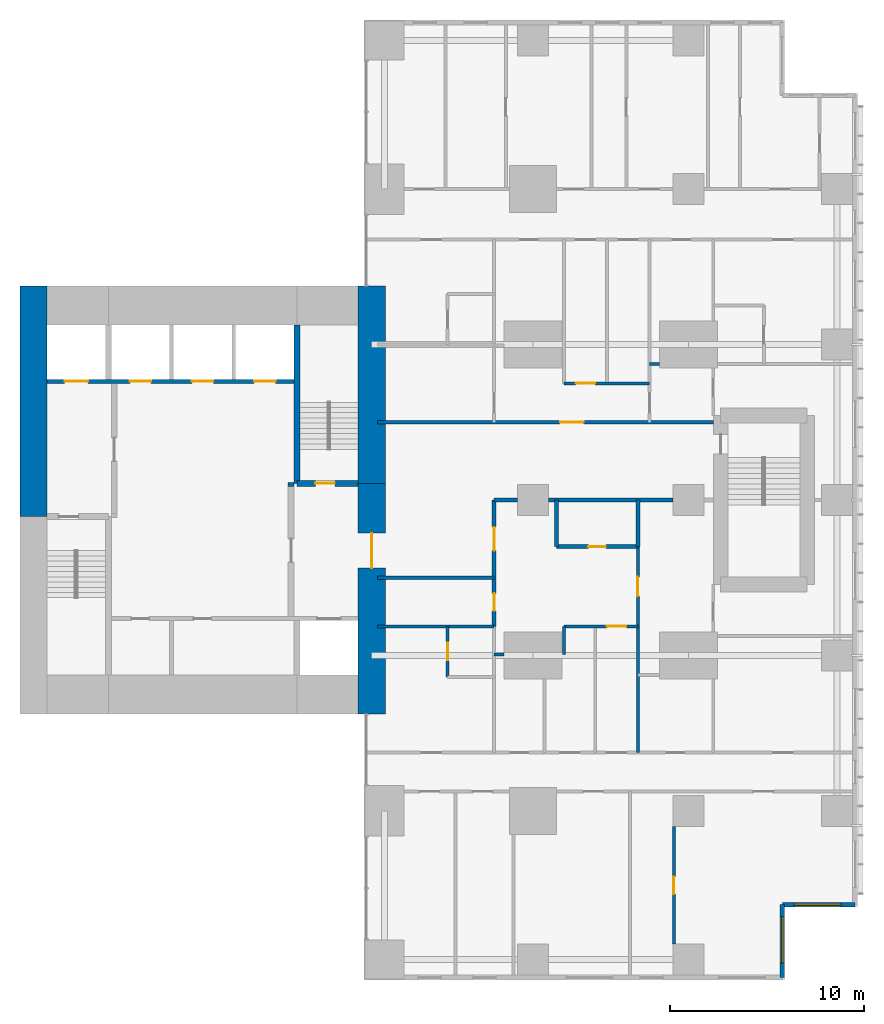
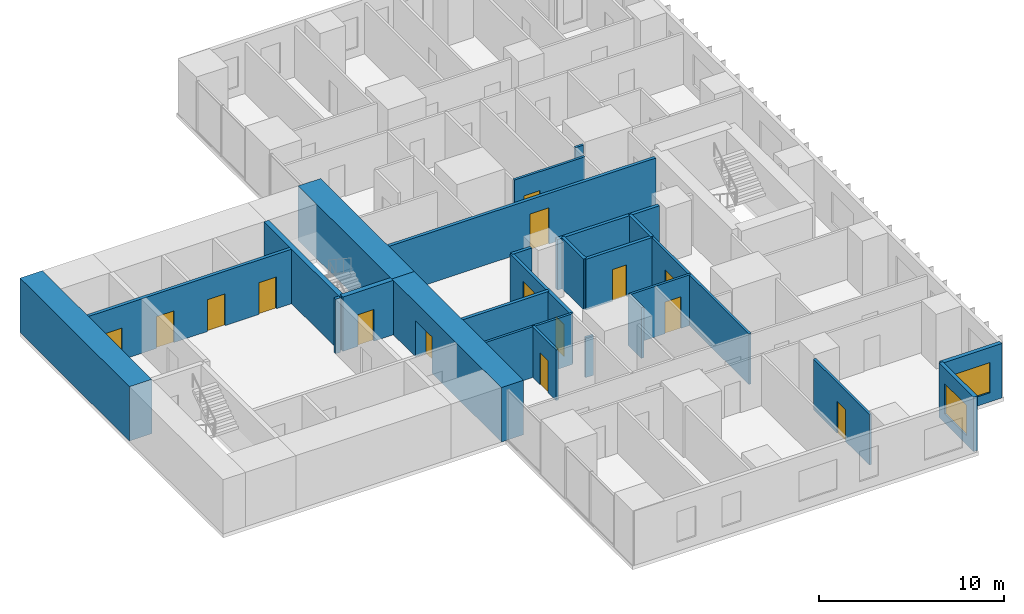
# One storey, part 8 of 12: 26 walls, 15 doors, 2 windows, 17 openings.
"""IFC4 building model written with IfcOpenShell, lengths in metres."""

from ifc_helpers import new_model, si_unit, direction, frame, frame_2d, origin, place, context, subcontext, project, spatial, rectangle, extrude, material, layer, layer_set, type_object, element, fill, save


model = new_model("IFC4")

# Units and contexts
model_context = context("Model", 3, precision=1e-05, world=origin(), true_north=direction((0.0, 1.0)))
body_context = subcontext(model_context, "Body", "Model", "MODEL_VIEW")
ifc_project = project(units=[si_unit("LENGTHUNIT", "METRE"), si_unit("AREAUNIT", "SQUARE_METRE"), si_unit("VOLUMEUNIT", "CUBIC_METRE"), si_unit("PLANEANGLEUNIT", "RADIAN"), si_unit("MASSUNIT", "GRAM", prefix="KILO")], contexts=[model_context])

# Site, building, storey
site_placement = place(None, origin())
site = spatial("IfcSite", under=ifc_project, at=site_placement, CompositionType="ELEMENT")
building_placement = place(site_placement, origin())
building = spatial("IfcBuilding", under=site, at=building_placement, Name="Cleftline Residences", CompositionType="ELEMENT")
storey_placement = place(building_placement, frame((0.0, 0.0, 237.60009765625)))
storey = spatial("IfcBuildingStorey", under=building, at=storey_placement, Name="L62", CompositionType="ELEMENT", Elevation=237.60009765625)

# Wall
ifc_material_1 = material(Name="Concrete B70", Category="concrete")
ifc_layer_1 = layer(ifc_material_1, 1.39990234375)
ifc_layer_set_1 = layer_set([ifc_layer_1], Name="CORE WALL 1400")
wall_type_1 = type_object("IfcWallType", Name="CORE WALL 1400", PredefinedType="SHEAR", material=ifc_layer_set_1)
wall_1_placement = place(storey_placement, frame((24.300048828125, 23.14990234375, 0.0), z_axis=(0.0, 0.0, 1.0), x_axis=(0.0, 1.0, 0.0)))
element("IfcWall", 1, at=wall_1_placement, inside=storey, type_object=wall_type_1, Name="Core wall W", PredefinedType="SHEAR", context=body_context, shape_type="SweptSolid", body=[
    extrude(rectangle(XDim=11.85009765625, YDim=1.39990234375, at=frame_2d((5.925048828125, 0.0))), origin(), (0.0, 0.0, 1.0), 3.599853515625),
])

# Wall, opening, door
wall_2_placement = place(storey_placement, frame((41.699951171875, 13.0, 0.0), z_axis=(0.0, 0.0, 1.0), x_axis=(0.0, 1.0, 0.0)))
wall_2 = element("IfcWall", 2, at=wall_2_placement, inside=storey, type_object=wall_type_1, Name="Core wall E", PredefinedType="SHEAR", context=body_context, shape_type="SweptSolid", body=[
    extrude(rectangle(XDim=11.85009765625, YDim=1.39990234375, at=frame_2d((5.925048828125, 0.0))), origin(), (0.0, 0.0, 1.0), 3.599853515625),
])
opening_1_placement = place(wall_2_placement, frame((7.5, 0.0, 0.0)))
opening_1 = element("IfcOpeningElement", 3, at=opening_1_placement, cuts=wall_2, Name="Opening D7", PredefinedType="OPENING", context=body_context, shape_type="SweptSolid", body=[
    extrude(rectangle(XDim=1.800048828125, YDim=2.39990234375, at=frame_2d((0.89990234375, 1.199951171875))), frame((0.0, 0.7099609375, 0.0), z_axis=(0.0, -1.0, 0.0), x_axis=(1.0, 0.0, 0.0)), (0.0, 0.0, 1.0), 1.419921875),
])
ifc_material_2 = material(Name="Steel", Category="steel")
door_type_1 = type_object("IfcDoorType", Name="WING DOOR 1800X2400", OperationType="DOUBLE_DOOR_DOUBLE_SWING", PredefinedType="DOOR", material=ifc_material_2)
door_1_placement = place(opening_1_placement, origin())
door_1 = element("IfcDoor", 4, at=door_1_placement, inside=storey, type_object=door_type_1, Name="East wing door", OperationType="DOUBLE_DOOR_DOUBLE_SWING", OverallHeight=2.39990234375, OverallWidth=1.800048828125, PredefinedType="DOOR", context=body_context, shape_type="SweptSolid", body=[
    extrude(rectangle(XDim=1.800048828125, YDim=2.39990234375, at=frame_2d((0.89990234375, 1.199951171875))), frame((0.0, 0.02490234375, 0.0), z_axis=(0.0, -1.0, 0.0), x_axis=(1.0, 0.0, 0.0)), (0.0, 0.0, 1.0), 0.050048828125),
])
fill(opening_1, door_1)

# Walls
wall_3_placement = place(storey_placement, frame((41.699951171875, 24.85009765625, 0.0), z_axis=(0.0, 0.0, 1.0), x_axis=(0.0, 1.0, 0.0)))
element("IfcWall", 5, at=wall_3_placement, inside=storey, type_object=wall_type_1, Name="Core wall E1", PredefinedType="SHEAR", context=body_context, shape_type="SweptSolid", body=[
    extrude(rectangle(XDim=10.14990234375, YDim=1.39990234375, at=frame_2d((5.074951171875, 0.0))), origin(), (0.0, 0.0, 1.0), 3.599853515625),
])
ifc_material_3 = material(Name="Concrete B70", Category="concrete")
ifc_layer_2 = layer(ifc_material_3, 0.300048828125)
ifc_layer_set_2 = layer_set([ifc_layer_2], Name="CORE WALL 300")
wall_type_2 = type_object("IfcWallType", Name="CORE WALL 300", PredefinedType="SHEAR", material=ifc_layer_set_2)
wall_4_placement = place(storey_placement, frame((37.85009765625, 24.85009765625, 0.0), z_axis=(0.0, 0.0, 1.0), x_axis=(0.0, 1.0, 0.0)))
element("IfcWall", 6, at=wall_4_placement, inside=storey, type_object=wall_type_2, Name="Core wall SB-W", PredefinedType="SHEAR", context=body_context, shape_type="SweptSolid", body=[
    extrude(rectangle(XDim=8.14990234375, YDim=0.300048828125, at=frame_2d((4.074951171875, 0.0))), origin(), (0.0, 0.0, 1.0), 3.599853515625),
])

# Wall, opening, door
wall_5_placement = place(storey_placement, frame((37.85009765625, 24.85009765625, 0.0), z_axis=(0.0, 0.0, 1.0), x_axis=(1.0, 0.0, 0.0)))
wall_5 = element("IfcWall", 7, at=wall_5_placement, inside=storey, type_object=wall_type_2, Name="Core wall SB-S", PredefinedType="SHEAR", context=body_context, shape_type="SweptSolid", body=[
    extrude(rectangle(XDim=3.14990234375, YDim=0.300048828125, at=frame_2d((1.574951171875, 0.0))), origin(), (0.0, 0.0, 1.0), 3.599853515625),
])
opening_2_placement = place(wall_5_placement, frame((0.949951171875, 0.0, 0.0)))
opening_2 = element("IfcOpeningElement", 8, at=opening_2_placement, cuts=wall_5, Name="Opening D5", PredefinedType="OPENING", context=body_context, shape_type="SweptSolid", body=[
    extrude(rectangle(XDim=1.0, YDim=2.10009765625, at=frame_2d((0.5, 1.050048828125))), frame((0.0, 0.159912109375, 0.0), z_axis=(0.0, -1.0, 0.0), x_axis=(1.0, 0.0, 0.0)), (0.0, 0.0, 1.0), 0.320068359375),
])
ifc_material_4 = material(Name="Steel", Category="steel")
door_type_2 = type_object("IfcDoorType", Name="STAIR DOOR 1000X2100", OperationType="SINGLE_SWING_LEFT", PredefinedType="DOOR", material=ifc_material_4)
door_2_placement = place(opening_2_placement, origin())
door_2 = element("IfcDoor", 9, at=door_2_placement, inside=storey, type_object=door_type_2, Name="Stair B door", OperationType="SINGLE_SWING_RIGHT", OverallHeight=2.10009765625, OverallWidth=1.0, PredefinedType="DOOR", context=body_context, shape_type="SweptSolid", body=[
    extrude(rectangle(XDim=1.0, YDim=2.10009765625, at=frame_2d((0.5, 1.050048828125))), frame((0.0, 0.02490234375, 0.0), z_axis=(0.0, -1.0, 0.0), x_axis=(1.0, 0.0, 0.0)), (0.0, 0.0, 1.0), 0.050048828125),
])
fill(opening_2, door_2)

# Wall, opening, window
ifc_material_5 = material(Name="Rendered reinforced concrete blockwork", Category="masonry")
ifc_layer_3 = layer(ifc_material_5, 0.25)
ifc_layer_set_3 = layer_set([ifc_layer_3], Name="EXTERNAL WALL 250")
wall_type_3 = type_object("IfcWallType", Name="EXTERNAL WALL 250", PredefinedType="SOLIDWALL", material=ifc_layer_set_3)
wall_6_placement = place(storey_placement, frame((62.824951171875, -0.574951171875, 0.0), z_axis=(0.0, 0.0, 1.0), x_axis=(0.0, 1.0, 0.0)))
wall_6 = element("IfcWall", 10, at=wall_6_placement, inside=storey, type_object=wall_type_3, Name="External wall", PredefinedType="SOLIDWALL", context=body_context, shape_type="SweptSolid", body=[
    extrude(rectangle(XDim=3.75, YDim=0.25, at=frame_2d((1.875, 0.0))), origin(), (0.0, 0.0, 1.0), 3.599853515625),
])
opening_3_placement = place(wall_6_placement, frame((0.737548828125, 0.0, 0.60009765625)))
opening_3 = element("IfcOpeningElement", 11, at=opening_3_placement, cuts=wall_6, Name="Opening W6", PredefinedType="OPENING", context=body_context, shape_type="SweptSolid", body=[
    extrude(rectangle(XDim=2.39990234375, YDim=2.0, at=frame_2d((1.199951171875, 1.0))), frame((0.0, 0.135009765625, 0.0), z_axis=(0.0, -1.0, 0.0), x_axis=(1.0, 0.0, 0.0)), (0.0, 0.0, 1.0), 0.27001953125),
])
ifc_material_6 = material(Name="Aluminium frame, clear double glazing", Category="aluminium")
window_type = type_object("IfcWindowType", Name="WINDOW 2400X2000", PartitioningType="DOUBLE_PANEL_VERTICAL", PredefinedType="WINDOW", material=ifc_material_6)
window_1_placement = place(opening_3_placement, origin())
window_1 = element("IfcWindow", 12, at=window_1_placement, inside=storey, type_object=window_type, Name="Window", OverallHeight=2.0, OverallWidth=2.39990234375, PartitioningType="SINGLE_PANEL", PredefinedType="WINDOW", context=body_context, shape_type="SweptSolid", body=[
    extrude(rectangle(XDim=2.39990234375, YDim=2.0, at=frame_2d((1.199951171875, 1.0))), frame((0.0, 0.030029296875, 0.0), z_axis=(0.0, -1.0, 0.0), x_axis=(1.0, 0.0, 0.0)), (0.0, 0.0, 1.0), 0.06005859375),
])
fill(opening_3, window_1)

wall_7_placement = place(storey_placement, frame((62.824951171875, 3.175048828125, 0.0), z_axis=(0.0, 0.0, 1.0), x_axis=(1.0, 0.0, 0.0)))
wall_7 = element("IfcWall", 13, at=wall_7_placement, inside=storey, type_object=wall_type_3, Name="External wall", PredefinedType="SOLIDWALL", context=body_context, shape_type="SweptSolid", body=[
    extrude(rectangle(XDim=3.75, YDim=0.25, at=frame_2d((1.875, 0.0))), origin(), (0.0, 0.0, 1.0), 3.599853515625),
])
opening_4_placement = place(wall_7_placement, frame((0.612548828125, 0.0, 0.60009765625)))
opening_4 = element("IfcOpeningElement", 14, at=opening_4_placement, cuts=wall_7, Name="Opening W6", PredefinedType="OPENING", context=body_context, shape_type="SweptSolid", body=[
    extrude(rectangle(XDim=2.39990234375, YDim=2.0, at=frame_2d((1.199951171875, 1.0))), frame((0.0, 0.135009765625, 0.0), z_axis=(0.0, -1.0, 0.0), x_axis=(1.0, 0.0, 0.0)), (0.0, 0.0, 1.0), 0.27001953125),
])
window_2_placement = place(opening_4_placement, origin())
window_2 = element("IfcWindow", 15, at=window_2_placement, inside=storey, type_object=window_type, Name="Window", OverallHeight=2.0, OverallWidth=2.39990234375, PartitioningType="SINGLE_PANEL", PredefinedType="WINDOW", context=body_context, shape_type="SweptSolid", body=[
    extrude(rectangle(XDim=2.39990234375, YDim=2.0, at=frame_2d((1.199951171875, 1.0))), frame((0.0, 0.030029296875, 0.0), z_axis=(0.0, -1.0, 0.0), x_axis=(1.0, 0.0, 0.0)), (0.0, 0.0, 1.0), 0.06005859375),
])
fill(opening_4, window_2)

# Wall
ifc_material_7 = material(Name="Concrete blockwork, fire rated", Category="masonry")
ifc_layer_4 = layer(ifc_material_7, 0.199951171875)
ifc_layer_set_4 = layer_set([ifc_layer_4], Name="FIRE WALL 200")
wall_type_4 = type_object("IfcWallType", Name="FIRE WALL 200", PredefinedType="PARTITIONING", material=ifc_layer_set_4)
wall_8_placement = place(storey_placement, frame((42.0, 20.0, 0.0), z_axis=(0.0, 0.0, 1.0), x_axis=(1.0, 0.0, 0.0)))
element("IfcWall", 16, at=wall_8_placement, inside=storey, type_object=wall_type_4, Name="Fire separating wall", PredefinedType="PARTITIONING", context=body_context, shape_type="SweptSolid", body=[
    extrude(rectangle(XDim=6.0, YDim=0.199951171875, at=frame_2d((3.0, 0.0))), origin(), (0.0, 0.0, 1.0), 3.349853515625),
])

# Wall, opening, door
wall_9_placement = place(storey_placement, frame((51.199951171875, 21.60009765625, 0.0), z_axis=(0.0, 0.0, 1.0), x_axis=(1.0, 0.0, 0.0)))
wall_9 = element("IfcWall", 17, at=wall_9_placement, inside=storey, type_object=wall_type_4, Name="Fire separating wall", PredefinedType="PARTITIONING", context=body_context, shape_type="SweptSolid", body=[
    extrude(rectangle(XDim=4.199951171875, YDim=0.199951171875, at=frame_2d((2.10009765625, 0.0))), origin(), (0.0, 0.0, 1.0), 3.349853515625),
])
opening_5_placement = place(wall_9_placement, frame((1.64990234375, 0.0, 0.0)))
opening_5 = element("IfcOpeningElement", 18, at=opening_5_placement, cuts=wall_9, Name="Opening D1F30", PredefinedType="OPENING", context=body_context, shape_type="SweptSolid", body=[
    extrude(rectangle(XDim=0.89990234375, YDim=2.10009765625, at=frame_2d((0.449951171875, 1.050048828125))), frame((0.0, 0.10986328125, 0.0), z_axis=(0.0, -1.0, 0.0), x_axis=(1.0, 0.0, 0.0)), (0.0, 0.0, 1.0), 0.219970703125),
])
ifc_material_8 = material(Name="Timber veneer on solid core", Category="wood")
door_type_3 = type_object("IfcDoorType", Name="DOOR 900X2100 EI 30", OperationType="SINGLE_SWING_LEFT", PredefinedType="DOOR", material=ifc_material_8)
door_3_placement = place(opening_5_placement, origin())
door_3 = element("IfcDoor", 19, at=door_3_placement, inside=storey, type_object=door_type_3, Name="Door to cloakroom wc", OperationType="SINGLE_SWING_LEFT", OverallHeight=2.10009765625, OverallWidth=0.89990234375, PredefinedType="DOOR", context=body_context, shape_type="SweptSolid", body=[
    extrude(rectangle(XDim=0.89990234375, YDim=2.10009765625, at=frame_2d((0.449951171875, 1.050048828125))), frame((0.0, 0.02490234375, 0.0), z_axis=(0.0, -1.0, 0.0), x_axis=(1.0, 0.0, 0.0)), (0.0, 0.0, 1.0), 0.050048828125),
])
fill(opening_5, door_3)

# Walls
wall_10_placement = place(storey_placement, frame((48.0, 24.0, 0.0), z_axis=(0.0, 0.0, 1.0), x_axis=(1.0, 0.0, 0.0)))
element("IfcWall", 20, at=wall_10_placement, inside=storey, type_object=wall_type_4, Name="Fire separating wall", PredefinedType="PARTITIONING", context=body_context, shape_type="SweptSolid", body=[
    extrude(rectangle(XDim=1.199951171875, YDim=0.199951171875, at=frame_2d((0.60009765625, 0.0))), origin(), (0.0, 0.0, 1.0), 3.349853515625),
])
wall_11_placement = place(storey_placement, frame((50.800048828125, 24.0, 0.0), z_axis=(0.0, 0.0, 1.0), x_axis=(1.0, 0.0, 0.0)))
element("IfcWall", 21, at=wall_11_placement, inside=storey, type_object=wall_type_4, Name="Fire separating wall", PredefinedType="PARTITIONING", context=body_context, shape_type="SweptSolid", body=[
    extrude(rectangle(XDim=6.39990234375, YDim=0.199951171875, at=frame_2d((3.199951171875, 0.0))), origin(), (0.0, 0.0, 1.0), 3.349853515625),
])

# Wall, opening, door
wall_12_placement = place(storey_placement, frame((42.0, 28.0, 0.0), z_axis=(0.0, 0.0, 1.0), x_axis=(1.0, 0.0, 0.0)))
wall_12 = element("IfcWall", 22, at=wall_12_placement, inside=storey, type_object=wall_type_4, Name="Fire separating wall", PredefinedType="PARTITIONING", context=body_context, shape_type="SweptSolid", body=[
    extrude(rectangle(XDim=17.27490234375, YDim=0.199951171875, at=frame_2d((8.637451171875, 0.0))), origin(), (0.0, 0.0, 1.0), 3.349853515625),
])
opening_6_placement = place(wall_12_placement, frame((9.39990234375, 0.0, 0.0)))
opening_6 = element("IfcOpeningElement", 23, at=opening_6_placement, cuts=wall_12, Name="Opening D4", PredefinedType="OPENING", context=body_context, shape_type="SweptSolid", body=[
    extrude(rectangle(XDim=1.199951171875, YDim=2.39990234375, at=frame_2d((0.60009765625, 1.199951171875))), frame((0.0, 0.10986328125, 0.0), z_axis=(0.0, -1.0, 0.0), x_axis=(1.0, 0.0, 0.0)), (0.0, 0.0, 1.0), 0.219970703125),
])
ifc_material_9 = material(Name="Timber veneer on solid core", Category="wood")
door_type_4 = type_object("IfcDoorType", Name="APARTMENT ENTRANCE DOOR 1200X2400", OperationType="SINGLE_SWING_RIGHT", PredefinedType="DOOR", material=ifc_material_9)
door_4_placement = place(opening_6_placement, origin())
door_4 = element("IfcDoor", 24, at=door_4_placement, inside=storey, type_object=door_type_4, Name="Door to residence entrance (gallery)", OperationType="SINGLE_SWING_LEFT", OverallHeight=2.39990234375, OverallWidth=1.199951171875, PredefinedType="DOOR", context=body_context, shape_type="SweptSolid", body=[
    extrude(rectangle(XDim=1.199951171875, YDim=2.39990234375, at=frame_2d((0.60009765625, 1.199951171875))), frame((0.0, 0.02490234375, 0.0), z_axis=(0.0, -1.0, 0.0), x_axis=(1.0, 0.0, 0.0)), (0.0, 0.0, 1.0), 0.050048828125),
])
fill(opening_6, door_4)

# Wall, openings, doors
wall_13_placement = place(storey_placement, frame((48.0, 17.5, 0.0), z_axis=(0.0, 0.0, 1.0), x_axis=(0.0, 1.0, 0.0)))
wall_13 = element("IfcWall", 25, at=wall_13_placement, inside=storey, type_object=wall_type_4, Name="Fire separating wall", PredefinedType="PARTITIONING", context=body_context, shape_type="SweptSolid", body=[
    extrude(rectangle(XDim=6.5, YDim=0.199951171875, at=frame_2d((3.25, 0.0))), origin(), (0.0, 0.0, 1.0), 3.349853515625),
])
opening_7_placement = place(wall_13_placement, frame((3.89990234375, 0.0, 0.0)))
opening_7 = element("IfcOpeningElement", 26, at=opening_7_placement, cuts=wall_13, Name="Opening D4", PredefinedType="OPENING", context=body_context, shape_type="SweptSolid", body=[
    extrude(rectangle(XDim=1.199951171875, YDim=2.39990234375, at=frame_2d((0.60009765625, 1.199951171875))), frame((0.0, 0.10986328125, 0.0), z_axis=(0.0, -1.0, 0.0), x_axis=(1.0, 0.0, 0.0)), (0.0, 0.0, 1.0), 0.219970703125),
])
opening_8_placement = place(wall_13_placement, frame((0.800048828125, 0.0, 0.0)))
opening_8 = element("IfcOpeningElement", 27, at=opening_8_placement, cuts=wall_13, Name="Opening D1F30", PredefinedType="OPENING", context=body_context, shape_type="SweptSolid", body=[
    extrude(rectangle(XDim=0.89990234375, YDim=2.10009765625, at=frame_2d((0.449951171875, 1.050048828125))), frame((0.0, 0.10986328125, 0.0), z_axis=(0.0, -1.0, 0.0), x_axis=(1.0, 0.0, 0.0)), (0.0, 0.0, 1.0), 0.219970703125),
])
door_5_placement = place(opening_7_placement, origin())
door_5 = element("IfcDoor", 28, at=door_5_placement, inside=storey, type_object=door_type_4, Name="Door to residence entrance foyer", OperationType="SINGLE_SWING_LEFT", OverallHeight=2.39990234375, OverallWidth=1.199951171875, PredefinedType="DOOR", context=body_context, shape_type="SweptSolid", body=[
    extrude(rectangle(XDim=1.199951171875, YDim=2.39990234375, at=frame_2d((0.60009765625, 1.199951171875))), frame((0.0, 0.02490234375, 0.0), z_axis=(0.0, -1.0, 0.0), x_axis=(1.0, 0.0, 0.0)), (0.0, 0.0, 1.0), 0.050048828125),
])
fill(opening_7, door_5)
door_6_placement = place(opening_8_placement, origin())
door_6 = element("IfcDoor", 29, at=door_6_placement, inside=storey, type_object=door_type_3, Name="Door to utility room", OperationType="SINGLE_SWING_RIGHT", OverallHeight=2.10009765625, OverallWidth=0.89990234375, PredefinedType="DOOR", context=body_context, shape_type="SweptSolid", body=[
    extrude(rectangle(XDim=0.89990234375, YDim=2.10009765625, at=frame_2d((0.449951171875, 1.050048828125))), frame((0.0, 0.02490234375, 0.0), z_axis=(0.0, -1.0, 0.0), x_axis=(1.0, 0.0, 0.0)), (0.0, 0.0, 1.0), 0.050048828125),
])
fill(opening_8, door_6)

# Walls
for number, where, z_axis, x_axis, name in (
    (30, (51.199951171875, 21.60009765625, 0.0), (0.0, 0.0, 1.0), (0.0, 1.0, 0.0), "Fire separating wall"),
    (31, (55.39990234375, 21.60009765625, 0.0), (0.0, 0.0, 1.0), (0.0, 1.0, 0.0), "Fire separating wall"),
):
    element("IfcWall", number, at=place(storey_placement, frame(where, z_axis=z_axis, x_axis=x_axis)), inside=storey, type_object=wall_type_4, Name=name, PredefinedType="PARTITIONING", context=body_context, shape_type="SweptSolid", body=[
        extrude(rectangle(XDim=2.39990234375, YDim=0.199951171875, at=frame_2d((1.199951171875, 0.0))), origin(), (0.0, 0.0, 1.0), 3.349853515625),
    ])
wall_14_placement = place(storey_placement, frame((37.39990234375, 24.800048828125, 0.0), z_axis=(0.0, 0.0, 1.0), x_axis=(1.0, 0.0, 0.0)))
element("IfcWall", 32, at=wall_14_placement, inside=storey, type_object=wall_type_4, Name="Fire separating wall", PredefinedType="PARTITIONING", context=body_context, shape_type="SweptSolid", body=[
    extrude(rectangle(XDim=0.300048828125, YDim=0.199951171875, at=frame_2d((0.14990234375, 0.0))), origin(), (0.0, 0.0, 1.0), 3.599853515625),
])
ifc_material_10 = material(Name="Gypsum board on steel studs", Category="steel")
ifc_layer_5 = layer(ifc_material_10, 0.14990234375)
ifc_layer_set_5 = layer_set([ifc_layer_5], Name="PARTITION 150")
wall_type_5 = type_object("IfcWallType", Name="PARTITION 150", PredefinedType="PARTITIONING", material=ifc_layer_set_5)
wall_15_placement = place(storey_placement, frame((48.0, 16.050048828125, 0.0), z_axis=(0.0, 0.0, 1.0), x_axis=(1.0, 0.0, 0.0)))
element("IfcWall", 33, at=wall_15_placement, inside=storey, type_object=wall_type_5, Name="Partition", PredefinedType="PARTITIONING", context=body_context, shape_type="SweptSolid", body=[
    extrude(rectangle(XDim=0.5, YDim=0.14990234375, at=frame_2d((0.25, 0.0))), origin(), (0.0, 0.0, 1.0), 2.6337890625),
])
wall_16_placement = place(storey_placement, frame((42.0, 17.5, 0.0), z_axis=(0.0, 0.0, 1.0), x_axis=(1.0, 0.0, 0.0)))
element("IfcWall", 34, at=wall_16_placement, inside=storey, type_object=wall_type_5, Name="Partition", PredefinedType="PARTITIONING", context=body_context, shape_type="SweptSolid", body=[
    extrude(rectangle(XDim=6.0, YDim=0.14990234375, at=frame_2d((3.0, 0.0))), origin(), (0.0, 0.0, 1.0), 3.349853515625),
])

# Wall, opening, door
wall_17_placement = place(storey_placement, frame((51.60009765625, 17.5, 0.0), z_axis=(0.0, 0.0, 1.0), x_axis=(1.0, 0.0, 0.0)))
wall_17 = element("IfcWall", 35, at=wall_17_placement, inside=storey, type_object=wall_type_5, Name="Partition", PredefinedType="PARTITIONING", context=body_context, shape_type="SweptSolid", body=[
    extrude(rectangle(XDim=3.7998046875, YDim=0.14990234375, at=frame_2d((1.89990234375, 0.0))), origin(), (0.0, 0.0, 1.0), 3.349853515625),
])
opening_9_placement = place(wall_17_placement, frame((2.199951171875, 0.0, 0.0)))
opening_9 = element("IfcOpeningElement", 36, at=opening_9_placement, cuts=wall_17, Name="Opening D2", PredefinedType="OPENING", context=body_context, shape_type="SweptSolid", body=[
    extrude(rectangle(XDim=1.0, YDim=2.10009765625, at=frame_2d((0.5, 1.050048828125))), frame((0.0, 0.0849609375, 0.0), z_axis=(0.0, -1.0, 0.0), x_axis=(1.0, 0.0, 0.0)), (0.0, 0.0, 1.0), 0.169921875),
])
ifc_material_11 = material(Name="Timber veneer on solid core", Category="wood")
door_type_5 = type_object("IfcDoorType", Name="DOOR 1000X2100", OperationType="SINGLE_SWING_LEFT", PredefinedType="DOOR", material=ifc_material_11)
door_7_placement = place(opening_9_placement, origin())
door_7 = element("IfcDoor", 37, at=door_7_placement, inside=storey, type_object=door_type_5, Name="Door to residence passage", OperationType="SINGLE_SWING_LEFT", OverallHeight=2.10009765625, OverallWidth=1.0, PredefinedType="DOOR", context=body_context, shape_type="SweptSolid", body=[
    extrude(rectangle(XDim=1.0, YDim=2.10009765625, at=frame_2d((0.5, 1.050048828125))), frame((0.0, 0.02490234375, 0.0), z_axis=(0.0, -1.0, 0.0), x_axis=(1.0, 0.0, 0.0)), (0.0, 0.0, 1.0), 0.050048828125),
])
fill(opening_9, door_7)

wall_18_placement = place(storey_placement, frame((51.60009765625, 30.0, 0.0), z_axis=(0.0, 0.0, 1.0), x_axis=(1.0, 0.0, 0.0)))
wall_18 = element("IfcWall", 38, at=wall_18_placement, inside=storey, type_object=wall_type_5, Name="Partition", PredefinedType="PARTITIONING", context=body_context, shape_type="SweptSolid", body=[
    extrude(rectangle(XDim=4.39990234375, YDim=0.14990234375, at=frame_2d((2.199951171875, 0.0))), origin(), (0.0, 0.0, 1.0), 3.349853515625),
])
opening_10_placement = place(wall_18_placement, frame((0.60009765625, 0.0, 0.0)))
opening_10 = element("IfcOpeningElement", 39, at=opening_10_placement, cuts=wall_18, Name="Opening D2", PredefinedType="OPENING", context=body_context, shape_type="SweptSolid", body=[
    extrude(rectangle(XDim=1.0, YDim=2.10009765625, at=frame_2d((0.5, 1.050048828125))), frame((0.0, 0.0849609375, 0.0), z_axis=(0.0, -1.0, 0.0), x_axis=(1.0, 0.0, 0.0)), (0.0, 0.0, 1.0), 0.169921875),
])
door_8_placement = place(opening_10_placement, origin())
door_8 = element("IfcDoor", 40, at=door_8_placement, inside=storey, type_object=door_type_5, Name="Door to residence passage", OperationType="SINGLE_SWING_RIGHT", OverallHeight=2.10009765625, OverallWidth=1.0, PredefinedType="DOOR", context=body_context, shape_type="SweptSolid", body=[
    extrude(rectangle(XDim=1.0, YDim=2.10009765625, at=frame_2d((0.5, 1.050048828125))), frame((0.0, 0.02490234375, 0.0), z_axis=(0.0, -1.0, 0.0), x_axis=(1.0, 0.0, 0.0)), (0.0, 0.0, 1.0), 0.050048828125),
])
fill(opening_10, door_8)

# Wall
wall_19_placement = place(storey_placement, frame((56.0, 31.0, 0.0), z_axis=(0.0, 0.0, 1.0), x_axis=(1.0, 0.0, 0.0)))
element("IfcWall", 41, at=wall_19_placement, inside=storey, type_object=wall_type_5, Name="Partition", PredefinedType="PARTITIONING", context=body_context, shape_type="SweptSolid", body=[
    extrude(rectangle(XDim=0.5, YDim=0.14990234375, at=frame_2d((0.25, 0.0))), origin(), (0.0, 0.0, 1.0), 3.349853515625),
])

# Wall, opening, door
wall_20_placement = place(storey_placement, frame((45.60009765625, 14.89990234375, 0.0), z_axis=(0.0, 0.0, 1.0), x_axis=(0.0, 1.0, 0.0)))
wall_20 = element("IfcWall", 42, at=wall_20_placement, inside=storey, type_object=wall_type_5, Name="Partition", PredefinedType="PARTITIONING", context=body_context, shape_type="SweptSolid", body=[
    extrude(rectangle(XDim=2.60009765625, YDim=0.14990234375, at=frame_2d((1.300048828125, 0.0))), origin(), (0.0, 0.0, 1.0), 3.349853515625),
])
opening_11_placement = place(wall_20_placement, frame((0.85009765625, 0.0, 0.0)))
opening_11 = element("IfcOpeningElement", 43, at=opening_11_placement, cuts=wall_20, Name="Opening D1", PredefinedType="OPENING", context=body_context, shape_type="SweptSolid", body=[
    extrude(rectangle(XDim=0.89990234375, YDim=2.10009765625, at=frame_2d((0.449951171875, 1.050048828125))), frame((0.0, 0.0849609375, 0.0), z_axis=(0.0, -1.0, 0.0), x_axis=(1.0, 0.0, 0.0)), (0.0, 0.0, 1.0), 0.169921875),
])
ifc_material_12 = material(Name="Timber veneer on solid core", Category="wood")
door_type_6 = type_object("IfcDoorType", Name="DOOR 900X2100", OperationType="SINGLE_SWING_LEFT", PredefinedType="DOOR", material=ifc_material_12)
door_9_placement = place(opening_11_placement, origin())
door_9 = element("IfcDoor", 44, at=door_9_placement, inside=storey, type_object=door_type_6, Name="Door to staff shower room", OperationType="SINGLE_SWING_LEFT", OverallHeight=2.10009765625, OverallWidth=0.89990234375, PredefinedType="DOOR", context=body_context, shape_type="SweptSolid", body=[
    extrude(rectangle(XDim=0.89990234375, YDim=2.10009765625, at=frame_2d((0.449951171875, 1.050048828125))), frame((0.0, 0.02490234375, 0.0), z_axis=(0.0, -1.0, 0.0), x_axis=(1.0, 0.0, 0.0)), (0.0, 0.0, 1.0), 0.050048828125),
])
fill(opening_11, door_9)

# Wall
wall_21_placement = place(storey_placement, frame((51.60009765625, 16.050048828125, 0.0), z_axis=(0.0, 0.0, 1.0), x_axis=(0.0, 1.0, 0.0)))
element("IfcWall", 45, at=wall_21_placement, inside=storey, type_object=wall_type_5, Name="Partition", PredefinedType="PARTITIONING", context=body_context, shape_type="SweptSolid", body=[
    extrude(rectangle(XDim=1.449951171875, YDim=0.14990234375, at=frame_2d((0.72509765625, 0.0))), origin(), (0.0, 0.0, 1.0), 3.349853515625),
])

# Wall, opening, door
wall_22_placement = place(storey_placement, frame((55.39990234375, 11.0, 0.0), z_axis=(0.0, 0.0, 1.0), x_axis=(0.0, 1.0, 0.0)))
wall_22 = element("IfcWall", 46, at=wall_22_placement, inside=storey, type_object=wall_type_5, Name="Partition", PredefinedType="PARTITIONING", context=body_context, shape_type="SweptSolid", body=[
    extrude(rectangle(XDim=10.60009765625, YDim=0.14990234375, at=frame_2d((5.300048828125, 0.0))), origin(), (0.0, 0.0, 1.0), 3.349853515625),
])
opening_12_placement = place(wall_22_placement, frame((8.050048828125, 0.0, 0.0)))
opening_12 = element("IfcOpeningElement", 47, at=opening_12_placement, cuts=wall_22, Name="Opening D2F30", PredefinedType="OPENING", context=body_context, shape_type="SweptSolid", body=[
    extrude(rectangle(XDim=1.0, YDim=2.10009765625, at=frame_2d((0.5, 1.050048828125))), frame((0.0, 0.0849609375, 0.0), z_axis=(0.0, -1.0, 0.0), x_axis=(1.0, 0.0, 0.0)), (0.0, 0.0, 1.0), 0.169921875),
])
ifc_material_13 = material(Name="Timber veneer on solid core", Category="wood")
door_type_7 = type_object("IfcDoorType", Name="DOOR 1000X2100 EI 30", OperationType="SINGLE_SWING_LEFT", PredefinedType="DOOR", material=ifc_material_13)
door_10_placement = place(opening_12_placement, origin())
door_10 = element("IfcDoor", 48, at=door_10_placement, inside=storey, type_object=door_type_7, Name="Door to residence lobby", OperationType="SINGLE_SWING_LEFT", OverallHeight=2.10009765625, OverallWidth=1.0, PredefinedType="DOOR", context=body_context, shape_type="SweptSolid", body=[
    extrude(rectangle(XDim=1.0, YDim=2.10009765625, at=frame_2d((0.5, 1.050048828125))), frame((0.0, 0.02490234375, 0.0), z_axis=(0.0, -1.0, 0.0), x_axis=(1.0, 0.0, 0.0)), (0.0, 0.0, 1.0), 0.050048828125),
])
fill(opening_12, door_10)

wall_23_placement = place(storey_placement, frame((57.25, 1.14990234375, 0.0), z_axis=(0.0, 0.0, 1.0), x_axis=(0.0, 1.0, 0.0)))
wall_23 = element("IfcWall", 49, at=wall_23_placement, inside=storey, type_object=wall_type_5, Name="Partition", PredefinedType="PARTITIONING", context=body_context, shape_type="SweptSolid", body=[
    extrude(rectangle(XDim=6.050048828125, YDim=0.14990234375, at=frame_2d((3.02490234375, 0.0))), origin(), (0.0, 0.0, 1.0), 3.349853515625),
])
opening_13_placement = place(wall_23_placement, frame((2.574951171875, 0.0, 0.0)))
opening_13 = element("IfcOpeningElement", 50, at=opening_13_placement, cuts=wall_23, Name="Opening D1", PredefinedType="OPENING", context=body_context, shape_type="SweptSolid", body=[
    extrude(rectangle(XDim=0.89990234375, YDim=2.10009765625, at=frame_2d((0.449951171875, 1.050048828125))), frame((0.0, 0.0849609375, 0.0), z_axis=(0.0, -1.0, 0.0), x_axis=(1.0, 0.0, 0.0)), (0.0, 0.0, 1.0), 0.169921875),
])
door_11_placement = place(opening_13_placement, origin())
door_11 = element("IfcDoor", 51, at=door_11_placement, inside=storey, type_object=door_type_6, Name="Door to store room", OperationType="SINGLE_SWING_LEFT", OverallHeight=2.10009765625, OverallWidth=0.89990234375, PredefinedType="DOOR", context=body_context, shape_type="SweptSolid", body=[
    extrude(rectangle(XDim=0.89990234375, YDim=2.10009765625, at=frame_2d((0.449951171875, 1.050048828125))), frame((0.0, 0.02490234375, 0.0), z_axis=(0.0, -1.0, 0.0), x_axis=(1.0, 0.0, 0.0)), (0.0, 0.0, 1.0), 0.050048828125),
])
fill(opening_13, door_11)

# Wall, openings, doors
ifc_material_14 = material(Name="Concrete blockwork, fire rated", Category="masonry")
ifc_layer_6 = layer(ifc_material_14, 0.199951171875)
ifc_layer_set_6 = layer_set([ifc_layer_6], Name="SHAFT WALL 200")
wall_type_6 = type_object("IfcWallType", Name="SHAFT WALL 200", PredefinedType="PARTITIONING", material=ifc_layer_set_6)
wall_24_placement = place(storey_placement, frame((25.0, 30.10009765625, 0.0), z_axis=(0.0, 0.0, 1.0), x_axis=(1.0, 0.0, 0.0)))
wall_24 = element("IfcWall", 52, at=wall_24_placement, inside=storey, type_object=wall_type_6, Name="Lift shaft wall", PredefinedType="PARTITIONING", context=body_context, shape_type="SweptSolid", body=[
    extrude(rectangle(XDim=12.699951171875, YDim=0.199951171875, at=frame_2d((6.35009765625, 0.0))), origin(), (0.0, 0.0, 1.0), 3.599853515625),
])
opening_14_placement = place(wall_24_placement, frame((4.25, 0.0, 0.0)))
opening_14 = element("IfcOpeningElement", 53, at=opening_14_placement, cuts=wall_24, Name="Opening LD1", PredefinedType="OPENING", context=body_context, shape_type="SweptSolid", body=[
    extrude(rectangle(XDim=1.10009765625, YDim=2.10009765625, at=frame_2d((0.550048828125, 1.050048828125))), frame((0.0, 0.10986328125, 0.0), z_axis=(0.0, -1.0, 0.0), x_axis=(1.0, 0.0, 0.0)), (0.0, 0.0, 1.0), 0.219970703125),
])
opening_15_placement = place(wall_24_placement, frame((7.449951171875, 0.0, 0.0)))
opening_15 = element("IfcOpeningElement", 54, at=opening_15_placement, cuts=wall_24, Name="Opening LD1", PredefinedType="OPENING", context=body_context, shape_type="SweptSolid", body=[
    extrude(rectangle(XDim=1.10009765625, YDim=2.10009765625, at=frame_2d((0.550048828125, 1.050048828125))), frame((0.0, 0.10986328125, 0.0), z_axis=(0.0, -1.0, 0.0), x_axis=(1.0, 0.0, 0.0)), (0.0, 0.0, 1.0), 0.219970703125),
])
opening_16_placement = place(wall_24_placement, frame((10.64990234375, 0.0, 0.0)))
opening_16 = element("IfcOpeningElement", 55, at=opening_16_placement, cuts=wall_24, Name="Opening LD1", PredefinedType="OPENING", context=body_context, shape_type="SweptSolid", body=[
    extrude(rectangle(XDim=1.10009765625, YDim=2.10009765625, at=frame_2d((0.550048828125, 1.050048828125))), frame((0.0, 0.10986328125, 0.0), z_axis=(0.0, -1.0, 0.0), x_axis=(1.0, 0.0, 0.0)), (0.0, 0.0, 1.0), 0.219970703125),
])
opening_17_placement = place(wall_24_placement, frame((0.89990234375, 0.0, 0.0)))
opening_17 = element("IfcOpeningElement", 56, at=opening_17_placement, cuts=wall_24, Name="Opening LD2", PredefinedType="OPENING", context=body_context, shape_type="SweptSolid", body=[
    extrude(rectangle(XDim=1.199951171875, YDim=2.10009765625, at=frame_2d((0.60009765625, 1.050048828125))), frame((0.0, 0.10986328125, 0.0), z_axis=(0.0, -1.0, 0.0), x_axis=(1.0, 0.0, 0.0)), (0.0, 0.0, 1.0), 0.219970703125),
])
ifc_material_15 = material(Name="Steel", Category="steel")
door_type_8 = type_object("IfcDoorType", Name="FIREFIGHTING LIFT LANDING DOOR 1200X2100", OperationType="SLIDING_TO_LEFT", PredefinedType="DOOR", material=ifc_material_15)
door_12_placement = place(opening_17_placement, origin())
door_12 = element("IfcDoor", 57, at=door_12_placement, inside=storey, type_object=door_type_8, Name="Lift FL1 landing door", OperationType="SLIDING_TO_LEFT", OverallHeight=2.10009765625, OverallWidth=1.199951171875, PredefinedType="DOOR", context=body_context, shape_type="SweptSolid", body=[
    extrude(rectangle(XDim=1.199951171875, YDim=2.10009765625, at=frame_2d((0.60009765625, 1.050048828125))), frame((0.0, 0.02490234375, 0.0), z_axis=(0.0, -1.0, 0.0), x_axis=(1.0, 0.0, 0.0)), (0.0, 0.0, 1.0), 0.050048828125),
])
fill(opening_17, door_12)
ifc_material_16 = material(Name="Steel", Category="steel")
door_type_9 = type_object("IfcDoorType", Name="LIFT LANDING DOOR 1100X2100", OperationType="SLIDING_TO_LEFT", PredefinedType="DOOR", material=ifc_material_16)
door_13_placement = place(opening_14_placement, origin())
door_13 = element("IfcDoor", 58, at=door_13_placement, inside=storey, type_object=door_type_9, Name="Lift P4 landing door", OperationType="SLIDING_TO_LEFT", OverallHeight=2.10009765625, OverallWidth=1.10009765625, PredefinedType="DOOR", context=body_context, shape_type="SweptSolid", body=[
    extrude(rectangle(XDim=1.10009765625, YDim=2.10009765625, at=frame_2d((0.550048828125, 1.050048828125))), frame((0.0, 0.02490234375, 0.0), z_axis=(0.0, -1.0, 0.0), x_axis=(1.0, 0.0, 0.0)), (0.0, 0.0, 1.0), 0.050048828125),
])
fill(opening_14, door_13)
door_14_placement = place(opening_15_placement, origin())
door_14 = element("IfcDoor", 59, at=door_14_placement, inside=storey, type_object=door_type_9, Name="Lift P5 landing door", OperationType="SLIDING_TO_LEFT", OverallHeight=2.10009765625, OverallWidth=1.10009765625, PredefinedType="DOOR", context=body_context, shape_type="SweptSolid", body=[
    extrude(rectangle(XDim=1.10009765625, YDim=2.10009765625, at=frame_2d((0.550048828125, 1.050048828125))), frame((0.0, 0.02490234375, 0.0), z_axis=(0.0, -1.0, 0.0), x_axis=(1.0, 0.0, 0.0)), (0.0, 0.0, 1.0), 0.050048828125),
])
fill(opening_15, door_14)
door_15_placement = place(opening_16_placement, origin())
door_15 = element("IfcDoor", 60, at=door_15_placement, inside=storey, type_object=door_type_9, Name="Lift P6 landing door", OperationType="SLIDING_TO_LEFT", OverallHeight=2.10009765625, OverallWidth=1.10009765625, PredefinedType="DOOR", context=body_context, shape_type="SweptSolid", body=[
    extrude(rectangle(XDim=1.10009765625, YDim=2.10009765625, at=frame_2d((0.550048828125, 1.050048828125))), frame((0.0, 0.02490234375, 0.0), z_axis=(0.0, -1.0, 0.0), x_axis=(1.0, 0.0, 0.0)), (0.0, 0.0, 1.0), 0.050048828125),
])
fill(opening_16, door_15)

save(model, "model.ifc")
